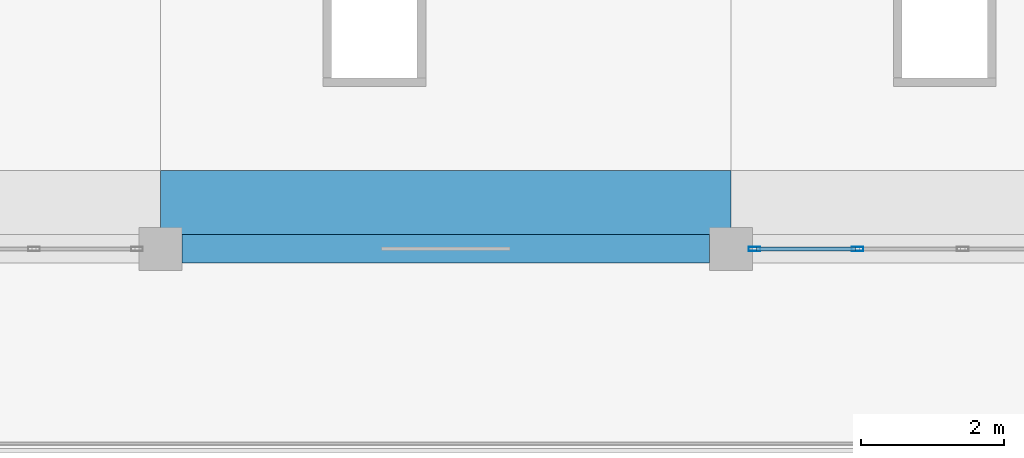
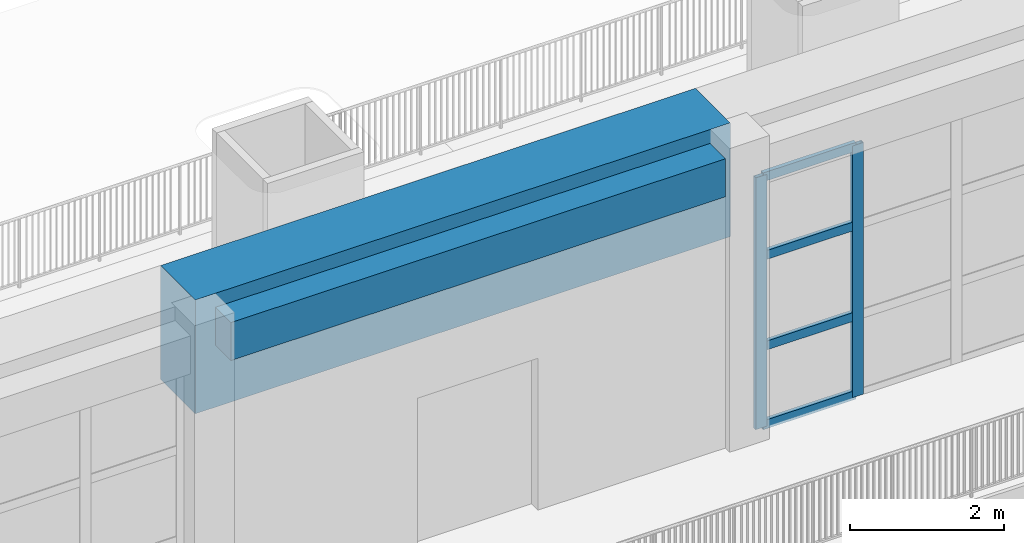
# One storey, part 7 of 32: 6 members, 2 beams, 1 element without a shape of its own.
"""IFC4 building model written with IfcOpenShell, lengths in metres."""

from ifc_helpers import new_model, si_unit, direction, frame, origin, origin_2d, place, context, subcontext, project, spatial, rectangle, hollow_rectangle, extrude, material, material_profile, profile_set, type_object, element, aggregate, save


model = new_model("IFC4")

# Units and contexts
model_context = context("Model", 3, precision=1e-05, world=origin(), true_north=direction((0.0, 1.0)))
body_context = subcontext(model_context, "Body", "Model", "MODEL_VIEW")
ifc_project = project(units=[si_unit("LENGTHUNIT", "METRE"), si_unit("AREAUNIT", "SQUARE_METRE"), si_unit("VOLUMEUNIT", "CUBIC_METRE"), si_unit("PLANEANGLEUNIT", "RADIAN"), si_unit("MASSUNIT", "GRAM", prefix="KILO")], contexts=[model_context])

# Site, building, storey
site_placement = place(None, origin())
site = spatial("IfcSite", under=ifc_project, at=site_placement, CompositionType="ELEMENT")
building_placement = place(site_placement, origin())
building = spatial("IfcBuilding", under=site, at=building_placement, Name="Zantavel Square City Hall", CompositionType="ELEMENT")
storey_placement = place(building_placement, frame((0.0, 0.0, 23.699951171875)))
storey = spatial("IfcBuildingStorey", under=building, at=storey_placement, Name="L06", CompositionType="ELEMENT", Elevation=23.699951171875)

# Curtain wall, members
ifc_material_1 = material(Name="Anodised aluminium 6063-T6", Category="aluminium")
curtain_wall_type = type_object("IfcCurtainWallType", Name="Curtain Wall TRV1 7375x3980", PredefinedType="USERDEFINED", material=ifc_material_1)
curtain_wall_placement = place(storey_placement, origin())
curtain_wall = element("IfcCurtainWall", 1, at=curtain_wall_placement, inside=storey, type_object=curtain_wall_type, Name="L06 Glazed Curtain Wall CW-L06-155", ObjectType="GLAZED CURTAIN WALL", PredefinedType="USERDEFINED")
ifc_material_profile_1 = material_profile(ifc_material_1, hollow_rectangle(XDim=0.06005859375, YDim=0.1650390625, WallThickness=0.00390625, at=origin_2d()), Name="ALU 60x165x4")
ifc_profile_set_1 = profile_set([ifc_material_profile_1], Name="Anodised aluminium 6063-T6")
member_type_1 = type_object("IfcMemberType", Name="CW Council Gallery Mullion ALU 60x165x4", PredefinedType="MULLION", material=ifc_profile_set_1)
member_1_placement = place(storey_placement, frame((89.77490234375, 30.39990234375, 0.0), z_axis=(0.0, 0.0, 1.0), x_axis=(0.0, -1.0, 0.0)))
member_1 = element("IfcMember", 2, at=member_1_placement, type_object=member_type_1, Name="CW-155 mullion 5", PredefinedType="MULLION", context=body_context, shape_type="SweptSolid", body=[
    extrude(hollow_rectangle(XDim=0.06005859375, YDim=0.1650390625, WallThickness=0.00390625, at=origin_2d()), origin(), (0.0, 0.0, 1.0), 3.97998046875),
])
member_2_placement = place(storey_placement, frame((88.330078125, 30.39990234375, 0.0), z_axis=(0.0, 0.0, 1.0), x_axis=(0.0, -1.0, 0.0)))
member_2 = element("IfcMember", 3, at=member_2_placement, type_object=member_type_1, Name="CW-155 mullion 6", PredefinedType="MULLION", context=body_context, shape_type="SweptSolid", body=[
    extrude(hollow_rectangle(XDim=0.06005859375, YDim=0.1650390625, WallThickness=0.00390625, at=origin_2d()), origin(), (0.0, 0.0, 1.0), 3.97998046875),
])
ifc_material_profile_2 = material_profile(ifc_material_1, hollow_rectangle(XDim=0.06005859375, YDim=0.139892578125, WallThickness=0.00390625, at=origin_2d()), Name="ALU 60x140x4")
ifc_profile_set_2 = profile_set([ifc_material_profile_2], Name="Anodised aluminium 6063-T6")
member_type_2 = type_object("IfcMemberType", Name="CW Transom ALU 60x140x4", PredefinedType="USERDEFINED", material=ifc_profile_set_2)
member_3_placement = place(storey_placement, frame((89.7451171875, 30.39990234375, 0.030029296875), z_axis=(-1.0, 0.0, 0.0), x_axis=(0.0, -1.0, 0.0)))
member_3 = element("IfcMember", 4, at=member_3_placement, type_object=member_type_2, Name="CW-155 transom 5.1", ObjectType="TRANSOM", PredefinedType="USERDEFINED", context=body_context, shape_type="SweptSolid", body=[
    extrude(hollow_rectangle(XDim=0.06005859375, YDim=0.139892578125, WallThickness=0.00390625, at=origin_2d()), origin(), (0.0, 0.0, 1.0), 1.385009765625),
])
member_4_placement = place(storey_placement, frame((89.7451171875, 30.39990234375, 1.274169921875), z_axis=(-1.0, 0.0, 0.0), x_axis=(0.0, -1.0, 0.0)))
member_4 = element("IfcMember", 5, at=member_4_placement, type_object=member_type_2, Name="CW-155 transom 5.2", ObjectType="TRANSOM", PredefinedType="USERDEFINED", context=body_context, shape_type="SweptSolid", body=[
    extrude(hollow_rectangle(XDim=0.06005859375, YDim=0.139892578125, WallThickness=0.00390625, at=origin_2d()), origin(), (0.0, 0.0, 1.0), 1.385009765625),
])
member_5_placement = place(storey_placement, frame((89.7451171875, 30.39990234375, 2.7060546875), z_axis=(-1.0, 0.0, 0.0), x_axis=(0.0, -1.0, 0.0)))
member_5 = element("IfcMember", 6, at=member_5_placement, type_object=member_type_2, Name="CW-155 transom 5.3", ObjectType="TRANSOM", PredefinedType="USERDEFINED", context=body_context, shape_type="SweptSolid", body=[
    extrude(hollow_rectangle(XDim=0.06005859375, YDim=0.139892578125, WallThickness=0.00390625, at=origin_2d()), origin(), (0.0, 0.0, 1.0), 1.385009765625),
])
member_6_placement = place(storey_placement, frame((89.7451171875, 30.39990234375, 3.949951171875), z_axis=(-1.0, 0.0, 0.0), x_axis=(0.0, -1.0, 0.0)))
member_6 = element("IfcMember", 7, at=member_6_placement, type_object=member_type_2, Name="CW-155 transom 5.4", ObjectType="TRANSOM", PredefinedType="USERDEFINED", context=body_context, shape_type="SweptSolid", body=[
    extrude(hollow_rectangle(XDim=0.06005859375, YDim=0.139892578125, WallThickness=0.00390625, at=origin_2d()), origin(), (0.0, 0.0, 1.0), 1.385009765625),
])
aggregate(curtain_wall, [member_1, member_2, member_3, member_4, member_5, member_6])

# Beams
ifc_material_2 = material(Name="Concrete C35/45", Category="concrete")
ifc_material_profile_3 = material_profile(ifc_material_2, rectangle(XDim=0.39990234375, YDim=0.60009765625, at=origin_2d()), Name="RC 400x600")
ifc_profile_set_3 = profile_set([ifc_material_profile_3], Name="Concrete C35/45")
beam_type_1 = type_object("IfcBeamType", Name="Perimeter Spandrel RC 400x600 C35/45", PredefinedType="SPANDREL", material=ifc_profile_set_3)
beam_1_placement = place(storey_placement, frame((80.300048828125, 30.39990234375, 4.280029296875), z_axis=(1.0, 0.0, 0.0), x_axis=(0.0, 1.0, 0.0)))
element("IfcBeam", 8, at=beam_1_placement, inside=storey, type_object=beam_type_1, Name="L06 Girder BMX-L06-0800-0304", PredefinedType="SPANDREL", context=body_context, shape_type="SweptSolid", body=[
    extrude(rectangle(XDim=0.39990234375, YDim=0.60009765625, at=origin_2d()), origin(), (0.0, 0.0, 1.0), 7.39990234375),
])
ifc_material_3 = material(Name="Concrete C40/50", Category="concrete")
ifc_material_profile_4 = material_profile(ifc_material_3, rectangle(XDim=0.89990234375, YDim=1.800048828125, at=origin_2d()), Name="RC 900x1800")
ifc_profile_set_4 = profile_set([ifc_material_profile_4], Name="Concrete C40/50")
beam_type_2 = type_object("IfcBeamType", Name="Transfer Girder RC 900x1800 C40/50", PredefinedType="BEAM", material=ifc_profile_set_4)
beam_2_placement = place(storey_placement, frame((80.0, 31.050048828125, 3.900146484375), z_axis=(1.0, 0.0, 0.0), x_axis=(0.0, 1.0, 0.0)))
element("IfcBeam", 9, at=beam_2_placement, inside=storey, type_object=beam_type_2, Name="Vault Thrust Transfer Girder S-3", PredefinedType="BEAM", context=body_context, shape_type="SweptSolid", body=[
    extrude(rectangle(XDim=0.89990234375, YDim=1.800048828125, at=origin_2d()), origin(), (0.0, 0.0, 1.0), 8.0),
])

save(model, "model.ifc")
